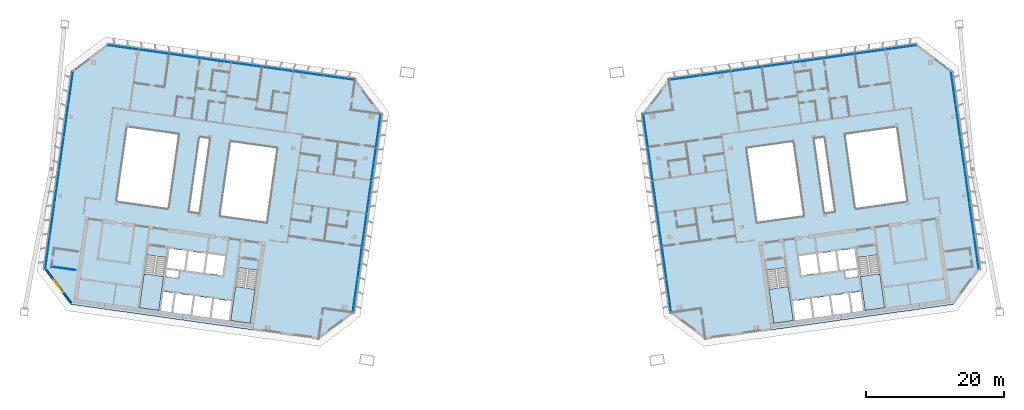
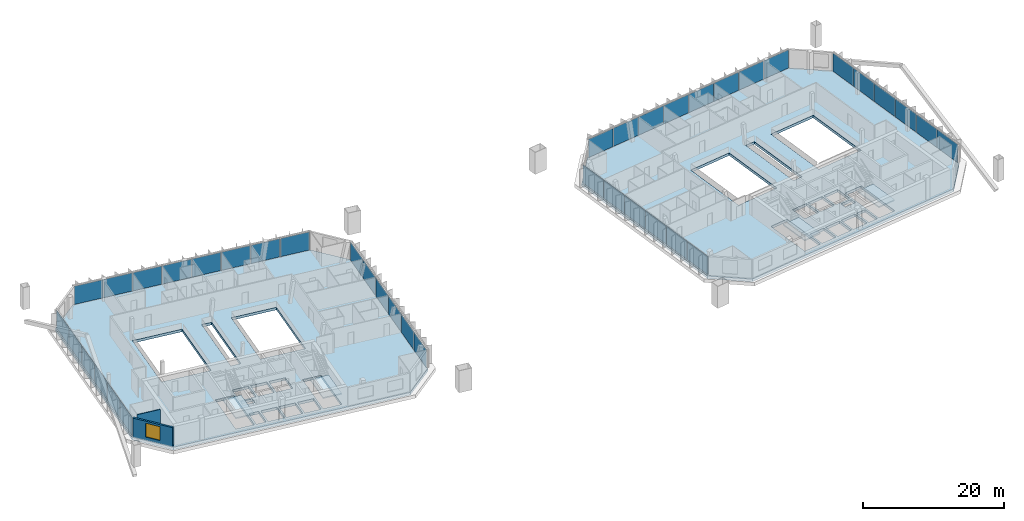
# One storey, part 10 of 19: 40 plates, 6 slabs, 2 walls, 1 window, 1 opening, 10 elements without a shape of their own.
"""IFC4 building model written with IfcOpenShell, lengths in metres."""

from ifc_helpers import new_model, si_unit, direction, frame, frame_2d, origin, origin_2d, place, context, subcontext, project, spatial, polyline, rectangle, outline, extrude, material, layer, layer_set, type_object, element, fill, aggregate, save


model = new_model("IFC4")

# Units and contexts
model_context = context("Model", 3, precision=1e-05, world=origin(), true_north=direction((0.0, 1.0)))
body_context = subcontext(model_context, "Body", "Model", "MODEL_VIEW")
ifc_project = project(units=[si_unit("LENGTHUNIT", "METRE"), si_unit("AREAUNIT", "SQUARE_METRE"), si_unit("VOLUMEUNIT", "CUBIC_METRE"), si_unit("PLANEANGLEUNIT", "RADIAN"), si_unit("MASSUNIT", "GRAM", prefix="KILO")], contexts=[model_context])

# Site, building, storey
site_placement = place(None, origin())
site = spatial("IfcSite", under=ifc_project, at=site_placement, CompositionType="ELEMENT")
building_placement = place(site_placement, origin())
building = spatial("IfcBuilding", under=site, at=building_placement, Name="Mirante Cascada Hotel Towers", CompositionType="ELEMENT")
storey_placement = place(building_placement, frame((0.0, 0.0, 239.4)))
storey = spatial("IfcBuildingStorey", under=building, at=storey_placement, Name="L57", CompositionType="ELEMENT", Elevation=239.4)

# Curtain wall, plates
ifc_material_1 = material(Name="Aluminium mullion and transom frame with clear laminated glass", Category="aluminium")
curtain_wall_type_1 = type_object("IfcCurtainWallType", Name="Ribbon curtain wall ECW1", PredefinedType="NOTDEFINED", material=ifc_material_1)
curtain_wall_1_placement = place(storey_placement, origin())
curtain_wall_1 = element("IfcCurtainWall", 1, at=curtain_wall_1_placement, inside=storey, type_object=curtain_wall_type_1, Name="Front ribbon wall T1 L57", PredefinedType="NOTDEFINED")
ifc_material_2 = material(Name="Clear laminated glass", Category="glass")
ifc_layer_1 = layer(ifc_material_2, 0.036)
ifc_layer_set_1 = layer_set([ifc_layer_1], Name="ECW1 glass panel 36")
plate_type_1 = type_object("IfcPlateType", Name="ECW1 glass panel 36", PredefinedType="CURTAIN_PANEL", material=ifc_layer_set_1)
plate_1_placement = place(storey_placement, frame((-56.2587, 20.7257, 0.1), z_axis=(0.0, 0.0, 1.0), x_axis=(0.9902681, -0.1391731, 0.0)))
plate_1 = element("IfcPlate", 2, at=plate_1_placement, type_object=plate_type_1, Name="ECW1 panel 1", PredefinedType="CURTAIN_PANEL", context=body_context, shape_type="SweptSolid", body=[
    extrude(rectangle(XDim=4.4139, YDim=0.036, at=origin_2d()), origin(), (0.0, 0.0, 1.0), 3.15),
])
plate_2_placement = place(storey_placement, frame((-51.8073, 20.1001, 0.1), z_axis=(0.0, 0.0, 1.0), x_axis=(0.9902681, -0.1391731, 0.0)))
plate_2 = element("IfcPlate", 3, at=plate_2_placement, type_object=plate_type_1, Name="ECW1 panel 2", PredefinedType="CURTAIN_PANEL", context=body_context, shape_type="SweptSolid", body=[
    extrude(rectangle(XDim=4.4464, YDim=0.036, at=origin_2d()), origin(), (0.0, 0.0, 1.0), 3.15),
])
plate_3_placement = place(storey_placement, frame((-47.3398, 19.4722, 0.1), z_axis=(0.0, 0.0, 1.0), x_axis=(0.9902681, -0.1391731, 0.0)))
plate_3 = element("IfcPlate", 4, at=plate_3_placement, type_object=plate_type_1, Name="ECW1 panel 3", PredefinedType="CURTAIN_PANEL", context=body_context, shape_type="SweptSolid", body=[
    extrude(rectangle(XDim=4.4464, YDim=0.036, at=origin_2d()), origin(), (0.0, 0.0, 1.0), 3.15),
])
plate_4_placement = place(storey_placement, frame((-42.8724, 18.8443, 0.1), z_axis=(0.0, 0.0, 1.0), x_axis=(0.9902681, -0.1391731, 0.0)))
plate_4 = element("IfcPlate", 5, at=plate_4_placement, type_object=plate_type_1, Name="ECW1 panel 4", PredefinedType="CURTAIN_PANEL", context=body_context, shape_type="SweptSolid", body=[
    extrude(rectangle(XDim=4.4464, YDim=0.036, at=origin_2d()), origin(), (0.0, 0.0, 1.0), 3.15),
])
plate_5_placement = place(storey_placement, frame((-38.4049, 18.2165, 0.1), z_axis=(0.0, 0.0, 1.0), x_axis=(0.9902681, -0.1391731, 0.0)))
plate_5 = element("IfcPlate", 6, at=plate_5_placement, type_object=plate_type_1, Name="ECW1 panel 5", PredefinedType="CURTAIN_PANEL", context=body_context, shape_type="SweptSolid", body=[
    extrude(rectangle(XDim=4.4464, YDim=0.036, at=origin_2d()), origin(), (0.0, 0.0, 1.0), 3.15),
])
plate_6_placement = place(storey_placement, frame((-33.9375, 17.5886, 0.1), z_axis=(0.0, 0.0, 1.0), x_axis=(0.9902681, -0.1391731, 0.0)))
plate_6 = element("IfcPlate", 7, at=plate_6_placement, type_object=plate_type_1, Name="ECW1 panel 6", PredefinedType="CURTAIN_PANEL", context=body_context, shape_type="SweptSolid", body=[
    extrude(rectangle(XDim=4.4464, YDim=0.036, at=origin_2d()), origin(), (0.0, 0.0, 1.0), 3.15),
])
plate_7_placement = place(storey_placement, frame((-29.47, 16.9608, 0.1), z_axis=(0.0, 0.0, 1.0), x_axis=(0.9902681, -0.1391731, 0.0)))
plate_7 = element("IfcPlate", 8, at=plate_7_placement, type_object=plate_type_1, Name="ECW1 panel 7", PredefinedType="CURTAIN_PANEL", context=body_context, shape_type="SweptSolid", body=[
    extrude(rectangle(XDim=4.4464, YDim=0.036, at=origin_2d()), origin(), (0.0, 0.0, 1.0), 3.15),
])
plate_8_placement = place(storey_placement, frame((-25.0186, 16.3352, 0.1), z_axis=(0.0, 0.0, 1.0), x_axis=(0.9902681, -0.1391731, 0.0)))
plate_8 = element("IfcPlate", 9, at=plate_8_placement, type_object=plate_type_1, Name="ECW1 panel 8", PredefinedType="CURTAIN_PANEL", context=body_context, shape_type="SweptSolid", body=[
    extrude(rectangle(XDim=4.4139, YDim=0.036, at=origin_2d()), origin(), (0.0, 0.0, 1.0), 3.15),
])
aggregate(curtain_wall_1, [plate_1, plate_2, plate_3, plate_4, plate_5, plate_6, plate_7, plate_8])

curtain_wall_2_placement = place(storey_placement, origin())
curtain_wall_2 = element("IfcCurtainWall", 10, at=curtain_wall_2_placement, inside=storey, type_object=curtain_wall_type_1, Name="Front ribbon wall T2 L57", PredefinedType="NOTDEFINED")
plate_9_placement = place(storey_placement, frame((56.2587, 20.7257, 0.1), z_axis=(0.0, 0.0, 1.0), x_axis=(-0.9902681, -0.1391731, 0.0)))
plate_9 = element("IfcPlate", 11, at=plate_9_placement, type_object=plate_type_1, Name="ECW1 panel 1", PredefinedType="CURTAIN_PANEL", context=body_context, shape_type="SweptSolid", body=[
    extrude(rectangle(XDim=4.4139, YDim=0.036, at=origin_2d()), origin(), (0.0, 0.0, 1.0), 3.15),
])
plate_10_placement = place(storey_placement, frame((51.8073, 20.1001, 0.1), z_axis=(0.0, 0.0, 1.0), x_axis=(-0.9902681, -0.1391731, 0.0)))
plate_10 = element("IfcPlate", 12, at=plate_10_placement, type_object=plate_type_1, Name="ECW1 panel 2", PredefinedType="CURTAIN_PANEL", context=body_context, shape_type="SweptSolid", body=[
    extrude(rectangle(XDim=4.4464, YDim=0.036, at=origin_2d()), origin(), (0.0, 0.0, 1.0), 3.15),
])
plate_11_placement = place(storey_placement, frame((47.3398, 19.4722, 0.1), z_axis=(0.0, 0.0, 1.0), x_axis=(-0.9902681, -0.1391731, 0.0)))
plate_11 = element("IfcPlate", 13, at=plate_11_placement, type_object=plate_type_1, Name="ECW1 panel 3", PredefinedType="CURTAIN_PANEL", context=body_context, shape_type="SweptSolid", body=[
    extrude(rectangle(XDim=4.4464, YDim=0.036, at=origin_2d()), origin(), (0.0, 0.0, 1.0), 3.15),
])
plate_12_placement = place(storey_placement, frame((42.8724, 18.8443, 0.1), z_axis=(0.0, 0.0, 1.0), x_axis=(-0.9902681, -0.1391731, 0.0)))
plate_12 = element("IfcPlate", 14, at=plate_12_placement, type_object=plate_type_1, Name="ECW1 panel 4", PredefinedType="CURTAIN_PANEL", context=body_context, shape_type="SweptSolid", body=[
    extrude(rectangle(XDim=4.4464, YDim=0.036, at=origin_2d()), origin(), (0.0, 0.0, 1.0), 3.15),
])
plate_13_placement = place(storey_placement, frame((38.4049, 18.2165, 0.1), z_axis=(0.0, 0.0, 1.0), x_axis=(-0.9902681, -0.1391731, 0.0)))
plate_13 = element("IfcPlate", 15, at=plate_13_placement, type_object=plate_type_1, Name="ECW1 panel 5", PredefinedType="CURTAIN_PANEL", context=body_context, shape_type="SweptSolid", body=[
    extrude(rectangle(XDim=4.4464, YDim=0.036, at=origin_2d()), origin(), (0.0, 0.0, 1.0), 3.15),
])
plate_14_placement = place(storey_placement, frame((33.9375, 17.5886, 0.1), z_axis=(0.0, 0.0, 1.0), x_axis=(-0.9902681, -0.1391731, 0.0)))
plate_14 = element("IfcPlate", 16, at=plate_14_placement, type_object=plate_type_1, Name="ECW1 panel 6", PredefinedType="CURTAIN_PANEL", context=body_context, shape_type="SweptSolid", body=[
    extrude(rectangle(XDim=4.4464, YDim=0.036, at=origin_2d()), origin(), (0.0, 0.0, 1.0), 3.15),
])
plate_15_placement = place(storey_placement, frame((29.47, 16.9608, 0.1), z_axis=(0.0, 0.0, 1.0), x_axis=(-0.9902681, -0.1391731, 0.0)))
plate_15 = element("IfcPlate", 17, at=plate_15_placement, type_object=plate_type_1, Name="ECW1 panel 7", PredefinedType="CURTAIN_PANEL", context=body_context, shape_type="SweptSolid", body=[
    extrude(rectangle(XDim=4.4464, YDim=0.036, at=origin_2d()), origin(), (0.0, 0.0, 1.0), 3.15),
])
plate_16_placement = place(storey_placement, frame((25.0186, 16.3352, 0.1), z_axis=(0.0, 0.0, 1.0), x_axis=(-0.9902681, -0.1391731, 0.0)))
plate_16 = element("IfcPlate", 18, at=plate_16_placement, type_object=plate_type_1, Name="ECW1 panel 8", PredefinedType="CURTAIN_PANEL", context=body_context, shape_type="SweptSolid", body=[
    extrude(rectangle(XDim=4.4139, YDim=0.036, at=origin_2d()), origin(), (0.0, 0.0, 1.0), 3.15),
])
aggregate(curtain_wall_2, [plate_9, plate_10, plate_11, plate_12, plate_13, plate_14, plate_15, plate_16])

ifc_material_3 = material(Name="Aluminium mullion and transom frame with clear laminated glass", Category="aluminium")
curtain_wall_type_2 = type_object("IfcCurtainWallType", Name="End ribbon curtain wall ECW2", PredefinedType="NOTDEFINED", material=ifc_material_3)
curtain_wall_3_placement = place(storey_placement, origin())
curtain_wall_3 = element("IfcCurtainWall", 19, at=curtain_wall_3_placement, inside=storey, type_object=curtain_wall_type_2, Name="Inner end wall T1 L57", PredefinedType="NOTDEFINED")
ifc_material_4 = material(Name="Clear laminated glass", Category="glass")
ifc_layer_2 = layer(ifc_material_4, 0.034)
ifc_layer_set_2 = layer_set([ifc_layer_2], Name="ECW2 glass panel 34")
plate_type_2 = type_object("IfcPlateType", Name="ECW2 glass panel 34", PredefinedType="CURTAIN_PANEL", material=ifc_layer_set_2)
plate_17_placement = place(storey_placement, frame((-19.3508, 8.6367, 0.1), z_axis=(0.0, 0.0, 1.0), x_axis=(-0.1391731, -0.9902681, 0.0)))
plate_17 = element("IfcPlate", 20, at=plate_17_placement, type_object=plate_type_2, Name="ECW2 panel 1", PredefinedType="CURTAIN_PANEL", context=body_context, shape_type="SweptSolid", body=[
    extrude(rectangle(XDim=4.7151, YDim=0.034, at=origin_2d()), origin(), (0.0, 0.0, 1.0), 3.15),
])
plate_18_placement = place(storey_placement, frame((-20.0183, 3.887, 0.1), z_axis=(0.0, 0.0, 1.0), x_axis=(-0.1391731, -0.9902681, 0.0)))
plate_18 = element("IfcPlate", 21, at=plate_18_placement, type_object=plate_type_2, Name="ECW2 panel 2", PredefinedType="CURTAIN_PANEL", context=body_context, shape_type="SweptSolid", body=[
    extrude(rectangle(XDim=4.7476, YDim=0.034, at=origin_2d()), origin(), (0.0, 0.0, 1.0), 3.15),
])
plate_19_placement = place(storey_placement, frame((-20.6881, -0.8787, 0.1), z_axis=(0.0, 0.0, 1.0), x_axis=(-0.1391731, -0.9902681, 0.0)))
plate_19 = element("IfcPlate", 22, at=plate_19_placement, type_object=plate_type_2, Name="ECW2 panel 3", PredefinedType="CURTAIN_PANEL", context=body_context, shape_type="SweptSolid", body=[
    extrude(rectangle(XDim=4.7476, YDim=0.034, at=origin_2d()), origin(), (0.0, 0.0, 1.0), 3.15),
])
plate_20_placement = place(storey_placement, frame((-21.3579, -5.6445, 0.1), z_axis=(0.0, 0.0, 1.0), x_axis=(-0.1391731, -0.9902681, 0.0)))
plate_20 = element("IfcPlate", 23, at=plate_20_placement, type_object=plate_type_2, Name="ECW2 panel 4", PredefinedType="CURTAIN_PANEL", context=body_context, shape_type="SweptSolid", body=[
    extrude(rectangle(XDim=4.7476, YDim=0.034, at=origin_2d()), origin(), (0.0, 0.0, 1.0), 3.15),
])
plate_21_placement = place(storey_placement, frame((-22.0277, -10.4103, 0.1), z_axis=(0.0, 0.0, 1.0), x_axis=(-0.1391731, -0.9902681, 0.0)))
plate_21 = element("IfcPlate", 24, at=plate_21_placement, type_object=plate_type_2, Name="ECW2 panel 5", PredefinedType="CURTAIN_PANEL", context=body_context, shape_type="SweptSolid", body=[
    extrude(rectangle(XDim=4.7476, YDim=0.034, at=origin_2d()), origin(), (0.0, 0.0, 1.0), 3.15),
])
plate_22_placement = place(storey_placement, frame((-22.6952, -15.16, 0.1), z_axis=(0.0, 0.0, 1.0), x_axis=(-0.1391731, -0.9902681, 0.0)))
plate_22 = element("IfcPlate", 25, at=plate_22_placement, type_object=plate_type_2, Name="ECW2 panel 6", PredefinedType="CURTAIN_PANEL", context=body_context, shape_type="SweptSolid", body=[
    extrude(rectangle(XDim=4.7151, YDim=0.034, at=origin_2d()), origin(), (0.0, 0.0, 1.0), 3.15),
])
aggregate(curtain_wall_3, [plate_17, plate_18, plate_19, plate_20, plate_21, plate_22])

curtain_wall_4_placement = place(storey_placement, origin())
curtain_wall_4 = element("IfcCurtainWall", 26, at=curtain_wall_4_placement, inside=storey, type_object=curtain_wall_type_2, Name="Outer end wall T1 L57", PredefinedType="NOTDEFINED")
plate_23_placement = place(storey_placement, frame((-66.5058, -4.1593, 0.1), z_axis=(0.0, 0.0, 1.0), x_axis=(0.1391731, 0.9902681, 0.0)))
plate_23 = element("IfcPlate", 27, at=plate_23_placement, type_object=plate_type_2, Name="ECW2 panel 2", PredefinedType="CURTAIN_PANEL", context=body_context, shape_type="SweptSolid", body=[
    extrude(rectangle(XDim=4.7476, YDim=0.034, at=origin_2d()), origin(), (0.0, 0.0, 1.0), 3.15),
])
plate_24_placement = place(storey_placement, frame((-65.836, 0.6065, 0.1), z_axis=(0.0, 0.0, 1.0), x_axis=(0.1391731, 0.9902681, 0.0)))
plate_24 = element("IfcPlate", 28, at=plate_24_placement, type_object=plate_type_2, Name="ECW2 panel 3", PredefinedType="CURTAIN_PANEL", context=body_context, shape_type="SweptSolid", body=[
    extrude(rectangle(XDim=4.7476, YDim=0.034, at=origin_2d()), origin(), (0.0, 0.0, 1.0), 3.15),
])
plate_25_placement = place(storey_placement, frame((-65.1662, 5.3722, 0.1), z_axis=(0.0, 0.0, 1.0), x_axis=(0.1391731, 0.9902681, 0.0)))
plate_25 = element("IfcPlate", 29, at=plate_25_placement, type_object=plate_type_2, Name="ECW2 panel 4", PredefinedType="CURTAIN_PANEL", context=body_context, shape_type="SweptSolid", body=[
    extrude(rectangle(XDim=4.7476, YDim=0.034, at=origin_2d()), origin(), (0.0, 0.0, 1.0), 3.15),
])
plate_26_placement = place(storey_placement, frame((-64.4964, 10.138, 0.1), z_axis=(0.0, 0.0, 1.0), x_axis=(0.1391731, 0.9902681, 0.0)))
plate_26 = element("IfcPlate", 30, at=plate_26_placement, type_object=plate_type_2, Name="ECW2 panel 5", PredefinedType="CURTAIN_PANEL", context=body_context, shape_type="SweptSolid", body=[
    extrude(rectangle(XDim=4.7476, YDim=0.034, at=origin_2d()), origin(), (0.0, 0.0, 1.0), 3.15),
])

curtain_wall_5_placement = place(storey_placement, origin())
curtain_wall_5 = element("IfcCurtainWall", 31, at=curtain_wall_5_placement, inside=storey, type_object=curtain_wall_type_2, Name="Inner end wall T2 L57", PredefinedType="NOTDEFINED")
plate_27_placement = place(storey_placement, frame((19.3508, 8.6367, 0.1), z_axis=(0.0, 0.0, 1.0), x_axis=(0.1391731, -0.9902681, 0.0)))
plate_27 = element("IfcPlate", 32, at=plate_27_placement, type_object=plate_type_2, Name="ECW2 panel 1", PredefinedType="CURTAIN_PANEL", context=body_context, shape_type="SweptSolid", body=[
    extrude(rectangle(XDim=4.7151, YDim=0.034, at=origin_2d()), origin(), (0.0, 0.0, 1.0), 3.15),
])
plate_28_placement = place(storey_placement, frame((20.0183, 3.887, 0.1), z_axis=(0.0, 0.0, 1.0), x_axis=(0.1391731, -0.9902681, 0.0)))
plate_28 = element("IfcPlate", 33, at=plate_28_placement, type_object=plate_type_2, Name="ECW2 panel 2", PredefinedType="CURTAIN_PANEL", context=body_context, shape_type="SweptSolid", body=[
    extrude(rectangle(XDim=4.7476, YDim=0.034, at=origin_2d()), origin(), (0.0, 0.0, 1.0), 3.15),
])
plate_29_placement = place(storey_placement, frame((20.6881, -0.8787, 0.1), z_axis=(0.0, 0.0, 1.0), x_axis=(0.1391731, -0.9902681, 0.0)))
plate_29 = element("IfcPlate", 34, at=plate_29_placement, type_object=plate_type_2, Name="ECW2 panel 3", PredefinedType="CURTAIN_PANEL", context=body_context, shape_type="SweptSolid", body=[
    extrude(rectangle(XDim=4.7476, YDim=0.034, at=origin_2d()), origin(), (0.0, 0.0, 1.0), 3.15),
])
plate_30_placement = place(storey_placement, frame((21.3579, -5.6445, 0.1), z_axis=(0.0, 0.0, 1.0), x_axis=(0.1391731, -0.9902681, 0.0)))
plate_30 = element("IfcPlate", 35, at=plate_30_placement, type_object=plate_type_2, Name="ECW2 panel 4", PredefinedType="CURTAIN_PANEL", context=body_context, shape_type="SweptSolid", body=[
    extrude(rectangle(XDim=4.7476, YDim=0.034, at=origin_2d()), origin(), (0.0, 0.0, 1.0), 3.15),
])
plate_31_placement = place(storey_placement, frame((22.0277, -10.4103, 0.1), z_axis=(0.0, 0.0, 1.0), x_axis=(0.1391731, -0.9902681, 0.0)))
plate_31 = element("IfcPlate", 36, at=plate_31_placement, type_object=plate_type_2, Name="ECW2 panel 5", PredefinedType="CURTAIN_PANEL", context=body_context, shape_type="SweptSolid", body=[
    extrude(rectangle(XDim=4.7476, YDim=0.034, at=origin_2d()), origin(), (0.0, 0.0, 1.0), 3.15),
])
plate_32_placement = place(storey_placement, frame((22.6952, -15.16, 0.1), z_axis=(0.0, 0.0, 1.0), x_axis=(0.1391731, -0.9902681, 0.0)))
plate_32 = element("IfcPlate", 37, at=plate_32_placement, type_object=plate_type_2, Name="ECW2 panel 6", PredefinedType="CURTAIN_PANEL", context=body_context, shape_type="SweptSolid", body=[
    extrude(rectangle(XDim=4.7151, YDim=0.034, at=origin_2d()), origin(), (0.0, 0.0, 1.0), 3.15),
])
aggregate(curtain_wall_5, [plate_27, plate_28, plate_29, plate_30, plate_31, plate_32])

curtain_wall_6_placement = place(storey_placement, origin())
curtain_wall_6 = element("IfcCurtainWall", 38, at=curtain_wall_6_placement, inside=storey, type_object=curtain_wall_type_2, Name="Outer end wall T2 L57", PredefinedType="NOTDEFINED")
plate_33_placement = place(storey_placement, frame((66.5058, -4.1593, 0.1), z_axis=(0.0, 0.0, 1.0), x_axis=(-0.1391731, 0.9902681, 0.0)))
plate_33 = element("IfcPlate", 39, at=plate_33_placement, type_object=plate_type_2, Name="ECW2 panel 2", PredefinedType="CURTAIN_PANEL", context=body_context, shape_type="SweptSolid", body=[
    extrude(rectangle(XDim=4.7476, YDim=0.034, at=origin_2d()), origin(), (0.0, 0.0, 1.0), 3.15),
])
plate_34_placement = place(storey_placement, frame((65.836, 0.6065, 0.1), z_axis=(0.0, 0.0, 1.0), x_axis=(-0.1391731, 0.9902681, 0.0)))
plate_34 = element("IfcPlate", 40, at=plate_34_placement, type_object=plate_type_2, Name="ECW2 panel 3", PredefinedType="CURTAIN_PANEL", context=body_context, shape_type="SweptSolid", body=[
    extrude(rectangle(XDim=4.7476, YDim=0.034, at=origin_2d()), origin(), (0.0, 0.0, 1.0), 3.15),
])
plate_35_placement = place(storey_placement, frame((65.1662, 5.3722, 0.1), z_axis=(0.0, 0.0, 1.0), x_axis=(-0.1391731, 0.9902681, 0.0)))
plate_35 = element("IfcPlate", 41, at=plate_35_placement, type_object=plate_type_2, Name="ECW2 panel 4", PredefinedType="CURTAIN_PANEL", context=body_context, shape_type="SweptSolid", body=[
    extrude(rectangle(XDim=4.7476, YDim=0.034, at=origin_2d()), origin(), (0.0, 0.0, 1.0), 3.15),
])
plate_36_placement = place(storey_placement, frame((64.4964, 10.138, 0.1), z_axis=(0.0, 0.0, 1.0), x_axis=(-0.1391731, 0.9902681, 0.0)))
plate_36 = element("IfcPlate", 42, at=plate_36_placement, type_object=plate_type_2, Name="ECW2 panel 5", PredefinedType="CURTAIN_PANEL", context=body_context, shape_type="SweptSolid", body=[
    extrude(rectangle(XDim=4.7476, YDim=0.034, at=origin_2d()), origin(), (0.0, 0.0, 1.0), 3.15),
])

# Plate
ifc_material_5 = material(Name="Insulated aluminium spandrel panel", Category="aluminium")
ifc_layer_3 = layer(ifc_material_5, 0.034)
ifc_layer_set_3 = layer_set([ifc_layer_3], Name="ECW2 spandrel panel 34")
plate_type_3 = type_object("IfcPlateType", Name="ECW2 spandrel panel 34", PredefinedType="CURTAIN_PANEL", material=ifc_layer_set_3)
plate_37_placement = place(storey_placement, frame((-67.1733, -8.909, 0.1), z_axis=(0.0, 0.0, 1.0), x_axis=(0.1391731, 0.9902681, 0.0)))
plate_37 = element("IfcPlate", 43, at=plate_37_placement, type_object=plate_type_3, Name="ECW2 panel 1", PredefinedType="CURTAIN_PANEL", context=body_context, shape_type="SweptSolid", body=[
    extrude(rectangle(XDim=4.7151, YDim=0.034, at=origin_2d()), origin(), (0.0, 0.0, 1.0), 3.15),
])

plate_38_placement = place(storey_placement, frame((-63.8289, 14.8877, 0.1), z_axis=(0.0, 0.0, 1.0), x_axis=(0.1391731, 0.9902681, 0.0)))
plate_38 = element("IfcPlate", 44, at=plate_38_placement, type_object=plate_type_3, Name="ECW2 panel 6", PredefinedType="CURTAIN_PANEL", context=body_context, shape_type="SweptSolid", body=[
    extrude(rectangle(XDim=4.7151, YDim=0.034, at=origin_2d()), origin(), (0.0, 0.0, 1.0), 3.15),
])

aggregate(curtain_wall_4, [plate_37, plate_23, plate_24, plate_25, plate_26, plate_38])

plate_39_placement = place(storey_placement, frame((67.1733, -8.909, 0.1), z_axis=(0.0, 0.0, 1.0), x_axis=(-0.1391731, 0.9902681, 0.0)))
plate_39 = element("IfcPlate", 45, at=plate_39_placement, type_object=plate_type_3, Name="ECW2 panel 1", PredefinedType="CURTAIN_PANEL", context=body_context, shape_type="SweptSolid", body=[
    extrude(rectangle(XDim=4.7151, YDim=0.034, at=origin_2d()), origin(), (0.0, 0.0, 1.0), 3.15),
])

plate_40_placement = place(storey_placement, frame((63.8289, 14.8877, 0.1), z_axis=(0.0, 0.0, 1.0), x_axis=(-0.1391731, 0.9902681, 0.0)))
plate_40 = element("IfcPlate", 46, at=plate_40_placement, type_object=plate_type_3, Name="ECW2 panel 6", PredefinedType="CURTAIN_PANEL", context=body_context, shape_type="SweptSolid", body=[
    extrude(rectangle(XDim=4.7151, YDim=0.034, at=origin_2d()), origin(), (0.0, 0.0, 1.0), 3.15),
])

aggregate(curtain_wall_6, [plate_39, plate_33, plate_34, plate_35, plate_36, plate_40])

# Stair, slab
ifc_material_6 = material(Name="Concrete C35/45", Category="concrete")
stair_type = type_object("IfcStairType", Name="Exit stair half-turn 1350 concrete C35/45", PredefinedType="HALF_TURN_STAIR", material=ifc_material_6)
stair_1_placement = place(storey_placement, origin())
stair_1 = element("IfcStair", 47, at=stair_1_placement, inside=storey, type_object=stair_type, Name="L57 Exit stair A", PredefinedType="HALF_TURN_STAIR")
ifc_material_7 = material(Name="Concrete C35/45", Category="concrete")
ifc_layer_4 = layer(ifc_material_7, 0.2)
ifc_layer_set_4 = layer_set([ifc_layer_4], Name="Exit stair landing 200 concrete C35/45")
slab_type_1 = type_object("IfcSlabType", Name="Exit stair landing 200 concrete C35/45", PredefinedType="LANDING", material=ifc_layer_set_4)
slab_1_placement = place(storey_placement, frame((0.0, 0.0, 1.7)))
slab_1 = element("IfcSlab", 48, at=slab_1_placement, type_object=slab_type_1, Name="ST1-A landing 1", PredefinedType="LANDING", context=body_context, shape_type="SweptSolid", body=[
    extrude(outline(polyline([(-39.9987, -13.8659), (-40.6887, -18.7757), (-37.8665, -19.1723), (-37.1765, -14.2626), (-39.9987, -13.8659)])), origin(), (0.0, 0.0, 1.0), 0.2),
])
aggregate(stair_1, [slab_1])

stair_2_placement = place(storey_placement, origin())
stair_2 = element("IfcStair", 49, at=stair_2_placement, inside=storey, type_object=stair_type, Name="L57 Exit stair B", PredefinedType="HALF_TURN_STAIR")
slab_2_placement = place(storey_placement, frame((0.0, 0.0, 1.7)))
slab_2 = element("IfcSlab", 50, at=slab_2_placement, type_object=slab_type_1, Name="ST1-B landing 1", PredefinedType="LANDING", context=body_context, shape_type="SweptSolid", body=[
    extrude(outline(polyline([(-53.2188, -12.008), (-53.9088, -16.9177), (-51.0866, -17.3144), (-50.3965, -12.4046), (-53.2188, -12.008)])), origin(), (0.0, 0.0, 1.0), 0.2),
])
aggregate(stair_2, [slab_2])

stair_3_placement = place(storey_placement, origin())
stair_3 = element("IfcStair", 51, at=stair_3_placement, inside=storey, type_object=stair_type, Name="L57 Exit stair A", PredefinedType="HALF_TURN_STAIR")
slab_3_placement = place(storey_placement, frame((0.0, 0.0, 1.7)))
slab_3 = element("IfcSlab", 52, at=slab_3_placement, type_object=slab_type_1, Name="ST2-A landing 1", PredefinedType="LANDING", context=body_context, shape_type="SweptSolid", body=[
    extrude(outline(polyline([(37.1765, -14.2626), (37.8665, -19.1723), (40.6887, -18.7757), (39.9987, -13.8659), (37.1765, -14.2626)])), origin(), (0.0, 0.0, 1.0), 0.2),
])
aggregate(stair_3, [slab_3])

stair_4_placement = place(storey_placement, origin())
stair_4 = element("IfcStair", 53, at=stair_4_placement, inside=storey, type_object=stair_type, Name="L57 Exit stair B", PredefinedType="HALF_TURN_STAIR")
slab_4_placement = place(storey_placement, frame((0.0, 0.0, 1.7)))
slab_4 = element("IfcSlab", 54, at=slab_4_placement, type_object=slab_type_1, Name="ST2-B landing 1", PredefinedType="LANDING", context=body_context, shape_type="SweptSolid", body=[
    extrude(outline(polyline([(50.3965, -12.4046), (51.0866, -17.3144), (53.9088, -16.9177), (53.2188, -12.008), (50.3965, -12.4046)])), origin(), (0.0, 0.0, 1.0), 0.2),
])
aggregate(stair_4, [slab_4])

# Slabs
ifc_material_8 = material(Name="Concrete C40/50", Category="concrete")
ifc_layer_5 = layer(ifc_material_8, 0.45)
ifc_layer_set_5 = layer_set([ifc_layer_5], Name="Post-tensioned flat plate 450 Concrete C40/50")
slab_type_2 = type_object("IfcSlabType", Name="Post-tensioned flat plate 450 Concrete C40/50", PredefinedType="FLOOR", material=ifc_layer_set_5)
slab_5_placement = place(storey_placement, frame((0.0, 0.0, -0.45)))
element("IfcSlab", 55, at=slab_5_placement, inside=storey, type_object=slab_type_2, Name="Floor T1 L57", PredefinedType="FLOOR", context=body_context, shape_type="SweptSolid", body=[
    extrude(outline(polyline([(-22.8925, -17.6414), (-18.8565, 11.0764), (-22.6864, 16.1589), (-58.5492, 21.199), (-63.6316, 17.3691), (-67.6677, -11.3487), (-63.8377, -16.4311), (-27.975, -21.4713), (-22.8925, -17.6414)]), holes=[polyline([(-40.5961, -15.9612), (-40.9858, -18.7339), (-43.4615, -18.386), (-43.0718, -15.6132), (-40.5961, -15.9612)]), polyline([(-43.3689, -15.5715), (-43.7586, -18.3442), (-46.2342, -17.9963), (-45.8446, -15.2236), (-43.3689, -15.5715)]), polyline([(-46.1416, -15.1818), (-46.5313, -17.9546), (-49.007, -17.6066), (-48.6173, -14.8339), (-46.1416, -15.1818)]), polyline([(-36.7887, -11.5037), (-37.8665, -19.1723), (-40.6887, -18.7757), (-39.611, -11.107), (-36.7887, -11.5037)]), polyline([(-43.9775, -9.124), (-41.5018, -9.472), (-41.8915, -12.2447), (-44.3672, -11.8968), (-43.9775, -9.124)]), polyline([(-44.2746, -9.0823), (-44.6643, -11.855), (-47.1399, -11.5071), (-46.7503, -8.7344), (-44.2746, -9.0823)]), polyline([(-50.3998, -14.5834), (-48.9144, -14.7921), (-49.3041, -17.5649), (-50.7895, -17.3561), (-50.3998, -14.5834)]), polyline([(-50.0088, -9.6457), (-51.0866, -17.3144), (-53.9088, -16.9177), (-52.8311, -9.2491), (-50.0088, -9.6457)]), polyline([(-48.1472, -11.6685), (-48.2829, -12.634), (-50.0901, -12.38), (-49.9544, -11.4145), (-48.1472, -11.6685)]), polyline([(-49.523, -8.3447), (-47.0473, -8.6926), (-47.437, -11.4654), (-49.9127, -11.1174), (-49.523, -8.3447)]), polyline([(-48.1736, 8.2288), (-49.7045, -2.6641), (-49.7045, -2.6641), (-57.2104, -1.6092), (-55.6795, 9.2837), (-48.1736, 8.2288)]), polyline([(-43.6907, 7.5988), (-45.2216, -3.2942), (-46.7317, -3.0819), (-45.2008, 7.811), (-43.6907, 7.5988)]), polyline([(-33.8946, 6.222), (-35.4255, -4.6709), (-42.2489, -3.7119), (-40.718, 7.181), (-33.8946, 6.222)])]), origin(), (0.0, 0.0, 1.0), 0.45),
])
slab_6_placement = place(storey_placement, frame((0.0, 0.0, -0.45)))
element("IfcSlab", 56, at=slab_6_placement, inside=storey, type_object=slab_type_2, Name="Floor T2 L57", PredefinedType="FLOOR", context=body_context, shape_type="SweptSolid", body=[
    extrude(outline(polyline([(22.8925, -17.6414), (18.8565, 11.0764), (22.6864, 16.1589), (58.5492, 21.199), (63.6316, 17.3691), (67.6677, -11.3487), (63.8377, -16.4311), (27.975, -21.4713), (22.8925, -17.6414)]), holes=[polyline([(40.5961, -15.9612), (40.9858, -18.7339), (43.4615, -18.386), (43.0718, -15.6132), (40.5961, -15.9612)]), polyline([(43.3689, -15.5715), (43.7586, -18.3442), (46.2342, -17.9963), (45.8446, -15.2236), (43.3689, -15.5715)]), polyline([(46.1416, -15.1818), (46.5313, -17.9546), (49.007, -17.6066), (48.6173, -14.8339), (46.1416, -15.1818)]), polyline([(37.8665, -19.1723), (40.6887, -18.7757), (39.611, -11.107), (36.7887, -11.5037), (37.8665, -19.1723)]), polyline([(43.9775, -9.124), (41.5018, -9.472), (41.8915, -12.2447), (44.3672, -11.8968), (43.9775, -9.124)]), polyline([(44.2746, -9.0823), (44.6643, -11.855), (47.1399, -11.5071), (46.7503, -8.7344), (44.2746, -9.0823)]), polyline([(50.3998, -14.5834), (48.9144, -14.7921), (49.3041, -17.5649), (50.7895, -17.3561), (50.3998, -14.5834)]), polyline([(51.0866, -17.3144), (53.9088, -16.9177), (52.8311, -9.2491), (50.0088, -9.6457), (51.0866, -17.3144)]), polyline([(48.1472, -11.6685), (48.2829, -12.634), (50.0901, -12.38), (49.9544, -11.4145), (48.1472, -11.6685)]), polyline([(49.523, -8.3447), (47.0473, -8.6926), (47.437, -11.4654), (49.9127, -11.1174), (49.523, -8.3447)]), polyline([(55.6795, 9.2837), (57.2104, -1.6092), (49.7045, -2.6641), (49.7045, -2.6641), (48.1736, 8.2288), (55.6795, 9.2837)]), polyline([(45.2008, 7.811), (46.7317, -3.0819), (45.2216, -3.2942), (43.6907, 7.5988), (45.2008, 7.811)]), polyline([(40.718, 7.181), (42.2489, -3.7119), (35.4255, -4.6709), (33.8946, 6.222), (40.718, 7.181)])]), origin(), (0.0, 0.0, 1.0), 0.45),
])

# Wall
ifc_material_9 = material(Name="Plasterboard on metal studs")
ifc_layer_6 = layer(ifc_material_9, 0.1)
ifc_layer_set_6 = layer_set([ifc_layer_6], Name="Partition 100")
wall_type_1 = type_object("IfcWallType", Name="Partition 100", PredefinedType="PARTITIONING", material=ifc_layer_set_6)
wall_1_placement = place(storey_placement, frame((-63.1419, -11.4798, 0.0), z_axis=(0.0, 0.0, 1.0), x_axis=(-0.9902664, 0.1391849, 0.0)))
element("IfcWall", 57, at=wall_1_placement, inside=storey, type_object=wall_type_1, Name="Wall 1-L57-02", PredefinedType="PARTITIONING", context=body_context, shape_type="SweptSolid", body=[
    extrude(rectangle(XDim=3.55, YDim=0.1, at=frame_2d((1.775, 0.0))), origin(), (0.0, 0.0, 1.0), 3.35),
])

# Wall, opening, window
ifc_material_10 = material(Name="Precast concrete C40/50", Category="concrete")
ifc_layer_7 = layer(ifc_material_10, 0.3)
ifc_layer_set_7 = layer_set([ifc_layer_7], Name="Precast concrete C40/50 cladding wall 300")
wall_type_2 = type_object("IfcWallType", Name="Precast concrete C40/50 cladding wall 300", PredefinedType="STANDARD", material=ifc_layer_set_7)
wall_2_placement = place(storey_placement, frame((-63.7926, -16.2417, 0.0), z_axis=(0.0, 0.0, 1.0), x_axis=(-0.6018245, 0.7986283, 0.0)))
wall_2 = element("IfcWall", 58, at=wall_2_placement, inside=storey, type_object=wall_type_2, Name="Corner cladding wall T1 L57 rear outer", PredefinedType="STANDARD", context=body_context, shape_type="SweptSolid", body=[
    extrude(rectangle(XDim=6.1157, YDim=0.3, at=frame_2d((3.0578, 0.0))), origin(), (0.0, 0.0, 1.0), 3.35),
])
opening_placement = place(wall_2_placement, frame((1.9578, 0.0, 0.6)))
opening = element("IfcOpeningElement", 59, at=opening_placement, cuts=wall_2, Name="Opening W1-57-03", PredefinedType="OPENING", context=body_context, shape_type="SweptSolid", body=[
    extrude(rectangle(XDim=2.2, YDim=2.4, at=frame_2d((1.1, 1.2))), frame((0.0, 0.15, 0.0), z_axis=(0.0, -1.0, 0.0), x_axis=(1.0, 0.0, 0.0)), (0.0, 0.0, 1.0), 0.3),
])
ifc_material_11 = material(Name="Aluminium frame with clear double glazing", Category="aluminium")
window_type = type_object("IfcWindowType", Name="Corner suite window 2200x2400", PartitioningType="DOUBLE_PANEL_VERTICAL", PredefinedType="WINDOW", material=ifc_material_11)
window_placement = place(opening_placement, origin())
window = element("IfcWindow", 60, at=window_placement, inside=storey, type_object=window_type, Name="Window W1-57-03", OverallHeight=2.4, OverallWidth=2.2, PartitioningType="SINGLE_PANEL", PredefinedType="WINDOW", context=body_context, shape_type="SweptSolid", body=[
    extrude(rectangle(XDim=2.2, YDim=2.4, at=frame_2d((1.1, 1.2))), frame((0.0, 0.03, 0.0), z_axis=(0.0, -1.0, 0.0), x_axis=(1.0, 0.0, 0.0)), (0.0, 0.0, 1.0), 0.06),
])
fill(opening, window)

save(model, "model.ifc")
